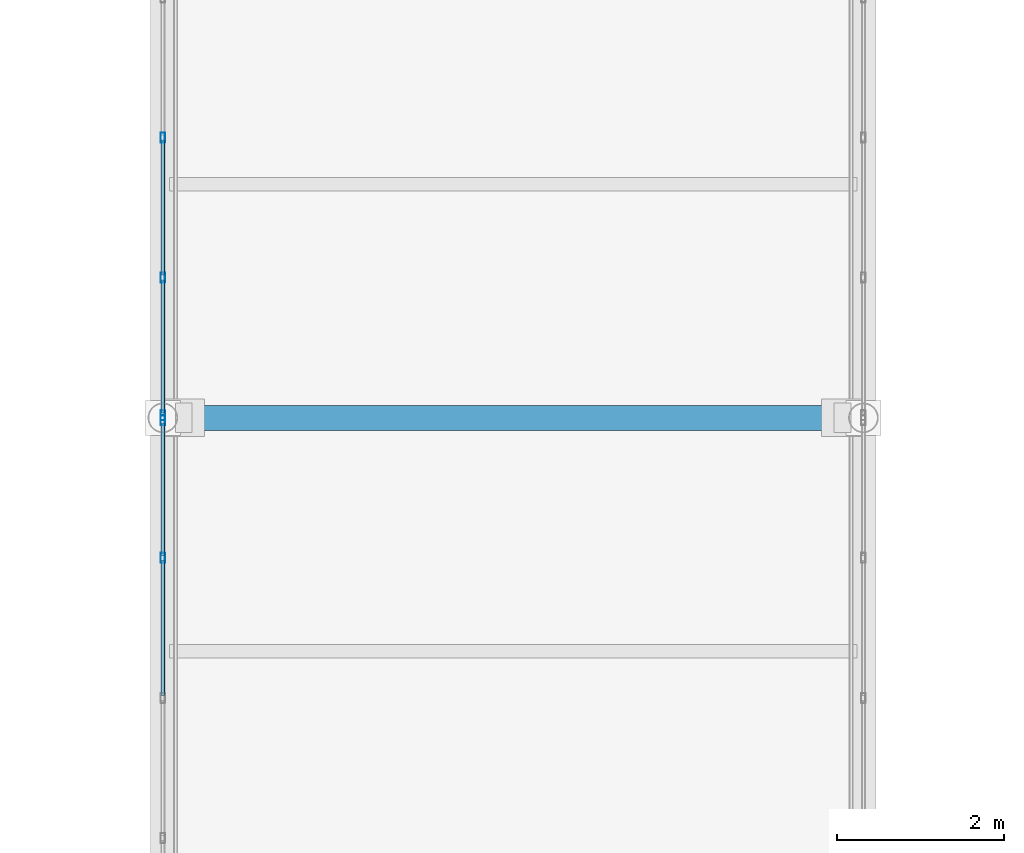
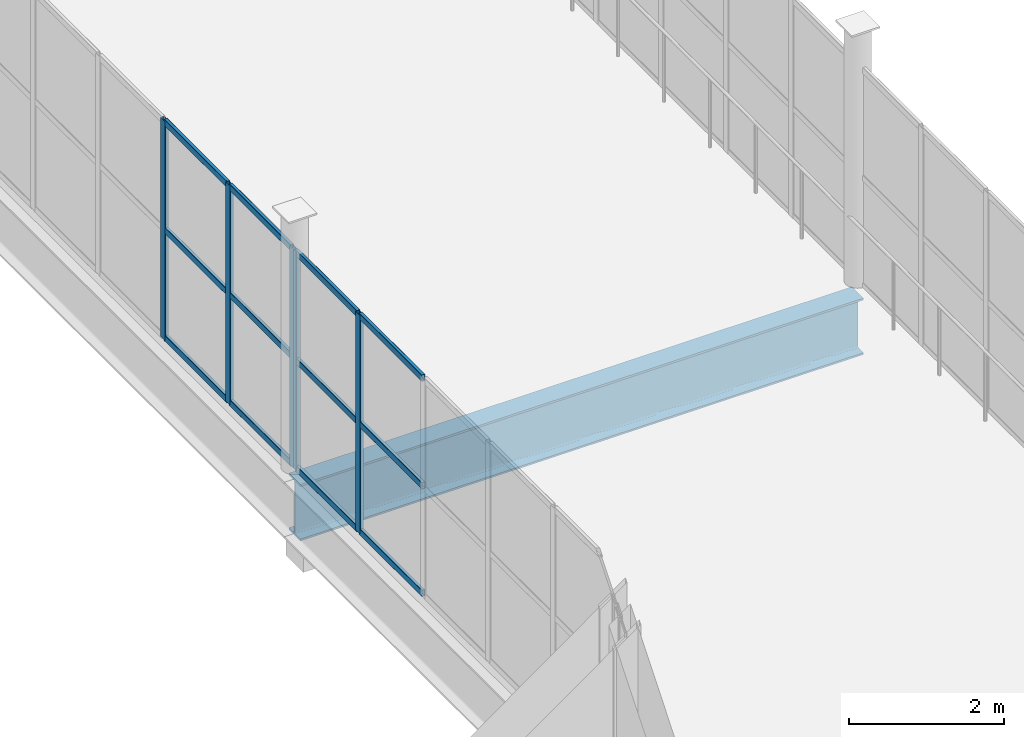
# One storey, part 60 of 184: 17 members, 1 beam, 2 elements without a shape of their own.
"""IFC4 building model written with IfcOpenShell, lengths in metres."""

from ifc_helpers import new_model, si_unit, direction, frame, origin, origin_2d, place, context, subcontext, project, spatial, hollow_rectangle, i_section, extrude, material, layer, layer_set, material_profile, profile_set, type_object, element, aggregate, save


model = new_model("IFC4")

# Units and contexts
model_context = context("Model", 3, precision=1e-05, world=origin(), true_north=direction((0.0, 1.0)))
body_context = subcontext(model_context, "Body", "Model", "MODEL_VIEW")
ifc_project = project(units=[si_unit("LENGTHUNIT", "METRE"), si_unit("AREAUNIT", "SQUARE_METRE"), si_unit("VOLUMEUNIT", "CUBIC_METRE"), si_unit("PLANEANGLEUNIT", "RADIAN"), si_unit("MASSUNIT", "GRAM", prefix="KILO")], contexts=[model_context])

# Site, building, storey
site_placement = place(None, origin())
site = spatial("IfcSite", under=ifc_project, at=site_placement, CompositionType="ELEMENT")
building_placement = place(site_placement, origin())
building = spatial("IfcBuilding", under=site, at=building_placement, Name="Qalvenar Corner Mobility Hub", CompositionType="ELEMENT")
storey_placement = place(building_placement, frame((0.0, 0.0, 9.0)))
storey = spatial("IfcBuildingStorey", under=building, at=storey_placement, Name="L02", CompositionType="ELEMENT", Elevation=9.0)

# Beam
ifc_material_1 = material(Name="Steel S355", Category="steel")
ifc_material_profile_1 = material_profile(ifc_material_1, i_section(OverallWidth=0.300048828125, OverallDepth=0.889892578125, WebThickness=0.01611328125, FlangeThickness=0.030029296875, FilletRadius=0.027099609375, at=origin_2d()), Name="HEA900")
ifc_profile_set_1 = profile_set([ifc_material_profile_1], Name="Steel S355")
beam_type = type_object("IfcBeamType", Name="BM-BRG900", PredefinedType="BEAM", material=ifc_profile_set_1)
beam_placement = place(storey_placement, frame((50.39990234375, 50.39990234375, -0.635009765625), z_axis=(1.0, 0.0, 0.0), x_axis=(0.0, 1.0, 0.0)))
element("IfcBeam", 1, at=beam_placement, inside=storey, type_object=beam_type, Name="Court Link Bridge Girder BRG-2170", PredefinedType="BEAM", context=body_context, shape_type="SweptSolid", body=[
    extrude(i_section(OverallWidth=0.300048828125, OverallDepth=0.889892578125, WebThickness=0.01611328125, FlangeThickness=0.030029296875, FilletRadius=0.027099609375, at=origin_2d()), origin(), (0.0, 0.0, 1.0), 8.400146484375),
])

# Curtain wall, members
ifc_material_2 = material(Name="Anodised Aluminium and Low-E Glazing", Category="aluminium")
ifc_layer = layer(ifc_material_2, 0.1201171875)
ifc_layer_set = layer_set([ifc_layer], Name="Anodised Aluminium and Low-E Glazing")
curtain_wall_type = type_object("IfcCurtainWallType", Name="CW-BRG-84X28", PredefinedType="NOTDEFINED", material=ifc_layer_set)
curtain_wall_1_placement = place(storey_placement, origin())
curtain_wall_1 = element("IfcCurtainWall", 2, at=curtain_wall_1_placement, inside=storey, type_object=curtain_wall_type, Name="Glazed Curtain Wall CW-BRG-L02-W1", PredefinedType="NOTDEFINED")
ifc_material_3 = material(Name="Anodised Aluminium 6063-T6", Category="aluminium")
ifc_material_profile_2 = material_profile(ifc_material_3, hollow_rectangle(XDim=0.054931640625, YDim=0.1201171875, WallThickness=0.00341796875, InnerFilletRadius=0.00341796875, OuterFilletRadius=0.007080078125, at=origin_2d()), Name="RHS120x55x3.5")
ifc_profile_set_2 = profile_set([ifc_material_profile_2], Name="Anodised Aluminium 6063-T6")
member_type_1 = type_object("IfcMemberType", Name="CW-MUL120", PredefinedType="MULLION", material=ifc_profile_set_2)
member_1_placement = place(storey_placement, frame((50.39990234375, 50.3701171875, 0.0), z_axis=(0.0, 0.0, 1.0), x_axis=(1.0, 0.0, 0.0)))
member_1 = element("IfcMember", 3, at=member_1_placement, type_object=member_type_1, Name="CW-11 mullion 1", PredefinedType="MULLION", context=body_context, shape_type="SweptSolid", body=[
    extrude(hollow_rectangle(XDim=0.054931640625, YDim=0.1201171875, WallThickness=0.00341796875, InnerFilletRadius=0.00341796875, OuterFilletRadius=0.007080078125, at=origin_2d()), origin(), (0.0, 0.0, 1.0), 3.449951171875),
])
member_2_placement = place(storey_placement, frame((50.39990234375, 48.719970703125, 0.0), z_axis=(0.0, 0.0, 1.0), x_axis=(1.0, 0.0, 0.0)))
member_2 = element("IfcMember", 4, at=member_2_placement, type_object=member_type_1, Name="CW-11 mullion 2", PredefinedType="MULLION", context=body_context, shape_type="SweptSolid", body=[
    extrude(hollow_rectangle(XDim=0.054931640625, YDim=0.1201171875, WallThickness=0.00341796875, InnerFilletRadius=0.00341796875, OuterFilletRadius=0.007080078125, at=origin_2d()), origin(), (0.0, 0.0, 1.0), 3.449951171875),
])

curtain_wall_2_placement = place(storey_placement, origin())
curtain_wall_2 = element("IfcCurtainWall", 5, at=curtain_wall_2_placement, inside=storey, type_object=curtain_wall_type, Name="Glazed Curtain Wall CW-BRG-L02-W2", PredefinedType="NOTDEFINED")
member_3_placement = place(storey_placement, frame((50.39990234375, 53.760009765625, 0.0), z_axis=(0.0, 0.0, 1.0), x_axis=(1.0, 0.0, 0.0)))
member_3 = element("IfcMember", 6, at=member_3_placement, type_object=member_type_1, Name="CW-11 mullion 4", PredefinedType="MULLION", context=body_context, shape_type="SweptSolid", body=[
    extrude(hollow_rectangle(XDim=0.054931640625, YDim=0.1201171875, WallThickness=0.00341796875, InnerFilletRadius=0.00341796875, OuterFilletRadius=0.007080078125, at=origin_2d()), origin(), (0.0, 0.0, 1.0), 3.449951171875),
])
member_4_placement = place(storey_placement, frame((50.39990234375, 52.080078125, 0.0), z_axis=(0.0, 0.0, 1.0), x_axis=(1.0, 0.0, 0.0)))
member_4 = element("IfcMember", 7, at=member_4_placement, type_object=member_type_1, Name="CW-11 mullion 5", PredefinedType="MULLION", context=body_context, shape_type="SweptSolid", body=[
    extrude(hollow_rectangle(XDim=0.054931640625, YDim=0.1201171875, WallThickness=0.00341796875, InnerFilletRadius=0.00341796875, OuterFilletRadius=0.007080078125, at=origin_2d()), origin(), (0.0, 0.0, 1.0), 3.449951171875),
])
member_5_placement = place(storey_placement, frame((50.39990234375, 50.429931640625, 0.0), z_axis=(0.0, 0.0, 1.0), x_axis=(1.0, 0.0, 0.0)))
member_5 = element("IfcMember", 8, at=member_5_placement, type_object=member_type_1, Name="CW-11 mullion 6", PredefinedType="MULLION", context=body_context, shape_type="SweptSolid", body=[
    extrude(hollow_rectangle(XDim=0.054931640625, YDim=0.1201171875, WallThickness=0.00341796875, InnerFilletRadius=0.00341796875, OuterFilletRadius=0.007080078125, at=origin_2d()), origin(), (0.0, 0.0, 1.0), 3.449951171875),
])

# Member
ifc_material_profile_3 = material_profile(ifc_material_3, hollow_rectangle(XDim=0.050048828125, YDim=0.10009765625, WallThickness=0.0029296875, InnerFilletRadius=0.0029296875, OuterFilletRadius=0.006103515625, at=origin_2d()), Name="RHS100x50x3")
ifc_profile_set_3 = profile_set([ifc_material_profile_3], Name="Anodised Aluminium 6063-T6")
member_type_2 = type_object("IfcMemberType", Name="CW-TRN100", PredefinedType="USERDEFINED", material=ifc_profile_set_3)
member_6_placement = place(storey_placement, frame((50.39990234375, 50.340087890625, 0.027587890625), z_axis=(0.0, -1.0, 0.0), x_axis=(1.0, 0.0, 0.0)))
member_6 = element("IfcMember", 9, at=member_6_placement, type_object=member_type_2, Name="CW-11 transom 1.1", ObjectType="TRANSOM", PredefinedType="USERDEFINED", context=body_context, shape_type="SweptSolid", body=[
    extrude(hollow_rectangle(XDim=0.050048828125, YDim=0.10009765625, WallThickness=0.0029296875, InnerFilletRadius=0.0029296875, OuterFilletRadius=0.006103515625, at=origin_2d()), origin(), (0.0, 0.0, 1.0), 1.590087890625),
])

member_7_placement = place(storey_placement, frame((50.39990234375, 50.340087890625, 1.72509765625), z_axis=(0.0, -1.0, 0.0), x_axis=(1.0, 0.0, 0.0)))
member_7 = element("IfcMember", 10, at=member_7_placement, type_object=member_type_2, Name="CW-11 transom 1.2", ObjectType="TRANSOM", PredefinedType="USERDEFINED", context=body_context, shape_type="SweptSolid", body=[
    extrude(hollow_rectangle(XDim=0.050048828125, YDim=0.10009765625, WallThickness=0.0029296875, InnerFilletRadius=0.0029296875, OuterFilletRadius=0.006103515625, at=origin_2d()), origin(), (0.0, 0.0, 1.0), 1.590087890625),
])

member_8_placement = place(storey_placement, frame((50.39990234375, 50.340087890625, 3.422607421875), z_axis=(0.0, -1.0, 0.0), x_axis=(1.0, 0.0, 0.0)))
member_8 = element("IfcMember", 11, at=member_8_placement, type_object=member_type_2, Name="CW-11 transom 1.3", ObjectType="TRANSOM", PredefinedType="USERDEFINED", context=body_context, shape_type="SweptSolid", body=[
    extrude(hollow_rectangle(XDim=0.050048828125, YDim=0.10009765625, WallThickness=0.0029296875, InnerFilletRadius=0.0029296875, OuterFilletRadius=0.006103515625, at=origin_2d()), origin(), (0.0, 0.0, 1.0), 1.590087890625),
])

member_9_placement = place(storey_placement, frame((50.39990234375, 48.68994140625, 0.027587890625), z_axis=(0.0, -1.0, 0.0), x_axis=(1.0, 0.0, 0.0)))
member_9 = element("IfcMember", 12, at=member_9_placement, type_object=member_type_2, Name="CW-11 transom 2.1", ObjectType="TRANSOM", PredefinedType="USERDEFINED", context=body_context, shape_type="SweptSolid", body=[
    extrude(hollow_rectangle(XDim=0.050048828125, YDim=0.10009765625, WallThickness=0.0029296875, InnerFilletRadius=0.0029296875, OuterFilletRadius=0.006103515625, at=origin_2d()), origin(), (0.0, 0.0, 1.0), 1.619873046875),
])

member_10_placement = place(storey_placement, frame((50.39990234375, 48.68994140625, 1.72509765625), z_axis=(0.0, -1.0, 0.0), x_axis=(1.0, 0.0, 0.0)))
member_10 = element("IfcMember", 13, at=member_10_placement, type_object=member_type_2, Name="CW-11 transom 2.2", ObjectType="TRANSOM", PredefinedType="USERDEFINED", context=body_context, shape_type="SweptSolid", body=[
    extrude(hollow_rectangle(XDim=0.050048828125, YDim=0.10009765625, WallThickness=0.0029296875, InnerFilletRadius=0.0029296875, OuterFilletRadius=0.006103515625, at=origin_2d()), origin(), (0.0, 0.0, 1.0), 1.619873046875),
])

member_11_placement = place(storey_placement, frame((50.39990234375, 48.68994140625, 3.422607421875), z_axis=(0.0, -1.0, 0.0), x_axis=(1.0, 0.0, 0.0)))
member_11 = element("IfcMember", 14, at=member_11_placement, type_object=member_type_2, Name="CW-11 transom 2.3", ObjectType="TRANSOM", PredefinedType="USERDEFINED", context=body_context, shape_type="SweptSolid", body=[
    extrude(hollow_rectangle(XDim=0.050048828125, YDim=0.10009765625, WallThickness=0.0029296875, InnerFilletRadius=0.0029296875, OuterFilletRadius=0.006103515625, at=origin_2d()), origin(), (0.0, 0.0, 1.0), 1.619873046875),
])

aggregate(curtain_wall_1, [member_1, member_2, member_6, member_7, member_8, member_9, member_10, member_11])

member_12_placement = place(storey_placement, frame((50.39990234375, 53.72998046875, 0.027587890625), z_axis=(0.0, -1.0, 0.0), x_axis=(1.0, 0.0, 0.0)))
member_12 = element("IfcMember", 15, at=member_12_placement, type_object=member_type_2, Name="CW-11 transom 4.1", ObjectType="TRANSOM", PredefinedType="USERDEFINED", context=body_context, shape_type="SweptSolid", body=[
    extrude(hollow_rectangle(XDim=0.050048828125, YDim=0.10009765625, WallThickness=0.0029296875, InnerFilletRadius=0.0029296875, OuterFilletRadius=0.006103515625, at=origin_2d()), origin(), (0.0, 0.0, 1.0), 1.619873046875),
])

member_13_placement = place(storey_placement, frame((50.39990234375, 53.72998046875, 1.72509765625), z_axis=(0.0, -1.0, 0.0), x_axis=(1.0, 0.0, 0.0)))
member_13 = element("IfcMember", 16, at=member_13_placement, type_object=member_type_2, Name="CW-11 transom 4.2", ObjectType="TRANSOM", PredefinedType="USERDEFINED", context=body_context, shape_type="SweptSolid", body=[
    extrude(hollow_rectangle(XDim=0.050048828125, YDim=0.10009765625, WallThickness=0.0029296875, InnerFilletRadius=0.0029296875, OuterFilletRadius=0.006103515625, at=origin_2d()), origin(), (0.0, 0.0, 1.0), 1.619873046875),
])

member_14_placement = place(storey_placement, frame((50.39990234375, 53.72998046875, 3.422607421875), z_axis=(0.0, -1.0, 0.0), x_axis=(1.0, 0.0, 0.0)))
member_14 = element("IfcMember", 17, at=member_14_placement, type_object=member_type_2, Name="CW-11 transom 4.3", ObjectType="TRANSOM", PredefinedType="USERDEFINED", context=body_context, shape_type="SweptSolid", body=[
    extrude(hollow_rectangle(XDim=0.050048828125, YDim=0.10009765625, WallThickness=0.0029296875, InnerFilletRadius=0.0029296875, OuterFilletRadius=0.006103515625, at=origin_2d()), origin(), (0.0, 0.0, 1.0), 1.619873046875),
])

member_15_placement = place(storey_placement, frame((50.39990234375, 52.050048828125, 0.027587890625), z_axis=(0.0, -1.0, 0.0), x_axis=(1.0, 0.0, 0.0)))
member_15 = element("IfcMember", 18, at=member_15_placement, type_object=member_type_2, Name="CW-11 transom 5.1", ObjectType="TRANSOM", PredefinedType="USERDEFINED", context=body_context, shape_type="SweptSolid", body=[
    extrude(hollow_rectangle(XDim=0.050048828125, YDim=0.10009765625, WallThickness=0.0029296875, InnerFilletRadius=0.0029296875, OuterFilletRadius=0.006103515625, at=origin_2d()), origin(), (0.0, 0.0, 1.0), 1.590087890625),
])

member_16_placement = place(storey_placement, frame((50.39990234375, 52.050048828125, 1.72509765625), z_axis=(0.0, -1.0, 0.0), x_axis=(1.0, 0.0, 0.0)))
member_16 = element("IfcMember", 19, at=member_16_placement, type_object=member_type_2, Name="CW-11 transom 5.2", ObjectType="TRANSOM", PredefinedType="USERDEFINED", context=body_context, shape_type="SweptSolid", body=[
    extrude(hollow_rectangle(XDim=0.050048828125, YDim=0.10009765625, WallThickness=0.0029296875, InnerFilletRadius=0.0029296875, OuterFilletRadius=0.006103515625, at=origin_2d()), origin(), (0.0, 0.0, 1.0), 1.590087890625),
])

member_17_placement = place(storey_placement, frame((50.39990234375, 52.050048828125, 3.422607421875), z_axis=(0.0, -1.0, 0.0), x_axis=(1.0, 0.0, 0.0)))
member_17 = element("IfcMember", 20, at=member_17_placement, type_object=member_type_2, Name="CW-11 transom 5.3", ObjectType="TRANSOM", PredefinedType="USERDEFINED", context=body_context, shape_type="SweptSolid", body=[
    extrude(hollow_rectangle(XDim=0.050048828125, YDim=0.10009765625, WallThickness=0.0029296875, InnerFilletRadius=0.0029296875, OuterFilletRadius=0.006103515625, at=origin_2d()), origin(), (0.0, 0.0, 1.0), 1.590087890625),
])

aggregate(curtain_wall_2, [member_3, member_4, member_5, member_12, member_13, member_14, member_15, member_16, member_17])

save(model, "model.ifc")
